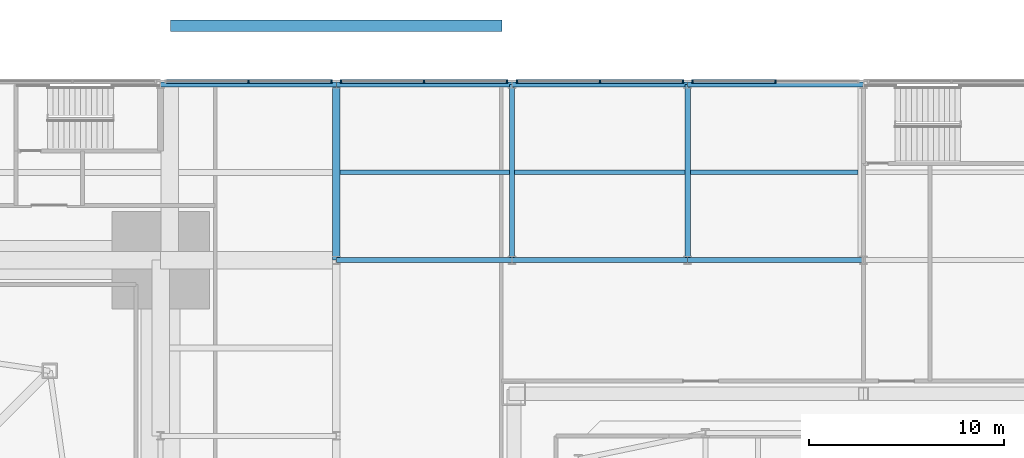
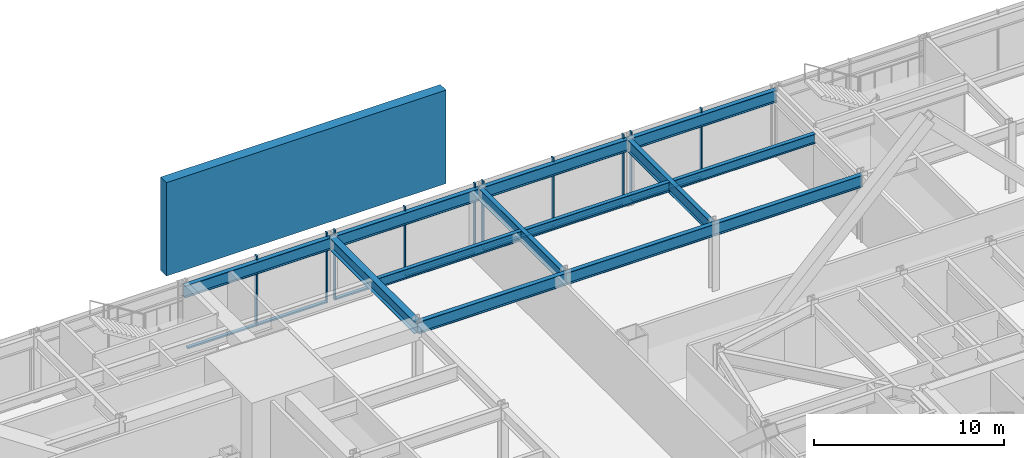
# One storey, part 16 of 32: 17 members, 14 beams, 4 elements without a shape of their own.
"""IFC4 building model written with IfcOpenShell, lengths in metres."""

from ifc_helpers import new_model, si_unit, direction, frame, origin, origin_2d, place, context, subcontext, project, spatial, rectangle, i_section, extrude, material, material_profile, profile_set, type_object, element, aggregate, save


model = new_model("IFC4")

# Units and contexts
model_context = context("Model", 3, precision=1e-05, world=origin(), true_north=direction((0.0, 1.0)))
body_context = subcontext(model_context, "Body", "Model", "MODEL_VIEW")
ifc_project = project(units=[si_unit("LENGTHUNIT", "METRE"), si_unit("AREAUNIT", "SQUARE_METRE"), si_unit("VOLUMEUNIT", "CUBIC_METRE"), si_unit("PLANEANGLEUNIT", "RADIAN"), si_unit("MASSUNIT", "GRAM", prefix="KILO")], contexts=[model_context])

# Site, building, storey
site_placement = place(None, origin())
site = spatial("IfcSite", under=ifc_project, at=site_placement, CompositionType="ELEMENT")
building_placement = place(site_placement, origin())
building = spatial("IfcBuilding", under=site, at=building_placement, Name="Iwan Alto Co-Living Towers", CompositionType="ELEMENT")
storey_placement = place(building_placement, frame((0.0, 0.0, 6.0)))
storey = spatial("IfcBuildingStorey", under=building, at=storey_placement, Name="L01", CompositionType="ELEMENT", Elevation=6.0)

# Curtain wall, members
ifc_material_1 = material(Name="Bronze aluminium stick frame", Category="aluminium")
curtain_wall_type = type_object("IfcCurtainWallType", Name="CURTAIN WALL CW-E", PredefinedType="NOTDEFINED", material=ifc_material_1)
curtain_wall_1_placement = place(storey_placement, origin())
curtain_wall_1 = element("IfcCurtainWall", 1, at=curtain_wall_1_placement, inside=storey, type_object=curtain_wall_type, Name="Podium curtain wall N L01", PredefinedType="NOTDEFINED")
ifc_material_2 = material(Name="Aluminium 6063-T6 bronze anodised", Category="aluminium")
ifc_material_profile_1 = material_profile(ifc_material_2, rectangle(XDim=0.199951171875, YDim=0.080078125, at=origin_2d()), Name="AL 80X200")
ifc_profile_set_1 = profile_set([ifc_material_profile_1], Name="Aluminium 6063-T6 bronze anodised")
member_type_1 = type_object("IfcMemberType", Name="CW-E MULLION 80X200", PredefinedType="MULLION", material=ifc_profile_set_1)
member_1_placement = place(storey_placement, frame((35.754150390625, 36.14990234375, 0.0), z_axis=(0.0, 0.0, 1.0), x_axis=(0.0, -1.0, 0.0)))
member_1 = element("IfcMember", 2, at=member_1_placement, type_object=member_type_1, Name="CW-E mullion 1", PredefinedType="MULLION", context=body_context, shape_type="SweptSolid", body=[
    extrude(rectangle(XDim=0.199951171875, YDim=0.080078125, at=origin_2d()), origin(), (0.0, 0.0, 1.0), 4.5),
])
member_2_placement = place(storey_placement, frame((31.5, 36.14990234375, 0.0), z_axis=(0.0, 0.0, 1.0), x_axis=(0.0, -1.0, 0.0)))
member_2 = element("IfcMember", 3, at=member_2_placement, type_object=member_type_1, Name="CW-E mullion 2", PredefinedType="MULLION", context=body_context, shape_type="SweptSolid", body=[
    extrude(rectangle(XDim=0.199951171875, YDim=0.080078125, at=origin_2d()), origin(), (0.0, 0.0, 1.0), 4.5),
])

curtain_wall_2_placement = place(storey_placement, origin())
curtain_wall_2 = element("IfcCurtainWall", 4, at=curtain_wall_2_placement, inside=storey, type_object=curtain_wall_type, Name="Podium curtain wall N L01", PredefinedType="NOTDEFINED")
member_3_placement = place(storey_placement, frame((44.754150390625, 36.14990234375, 0.0), z_axis=(0.0, 0.0, 1.0), x_axis=(0.0, -1.0, 0.0)))
member_3 = element("IfcMember", 5, at=member_3_placement, type_object=member_type_1, Name="CW-E mullion 1", PredefinedType="MULLION", context=body_context, shape_type="SweptSolid", body=[
    extrude(rectangle(XDim=0.199951171875, YDim=0.080078125, at=origin_2d()), origin(), (0.0, 0.0, 1.0), 4.5),
])
member_4_placement = place(storey_placement, frame((40.5, 36.14990234375, 0.0), z_axis=(0.0, 0.0, 1.0), x_axis=(0.0, -1.0, 0.0)))
member_4 = element("IfcMember", 6, at=member_4_placement, type_object=member_type_1, Name="CW-E mullion 2", PredefinedType="MULLION", context=body_context, shape_type="SweptSolid", body=[
    extrude(rectangle(XDim=0.199951171875, YDim=0.080078125, at=origin_2d()), origin(), (0.0, 0.0, 1.0), 4.5),
])
member_5_placement = place(storey_placement, frame((36.245849609375, 36.14990234375, 0.0), z_axis=(0.0, 0.0, 1.0), x_axis=(0.0, -1.0, 0.0)))
member_5 = element("IfcMember", 7, at=member_5_placement, type_object=member_type_1, Name="CW-E mullion 3", PredefinedType="MULLION", context=body_context, shape_type="SweptSolid", body=[
    extrude(rectangle(XDim=0.199951171875, YDim=0.080078125, at=origin_2d()), origin(), (0.0, 0.0, 1.0), 4.5),
])

curtain_wall_3_placement = place(storey_placement, origin())
curtain_wall_3 = element("IfcCurtainWall", 8, at=curtain_wall_3_placement, inside=storey, type_object=curtain_wall_type, Name="Podium curtain wall N L01", PredefinedType="NOTDEFINED")
member_6_placement = place(storey_placement, frame((53.754150390625, 36.14990234375, 0.0), z_axis=(0.0, 0.0, 1.0), x_axis=(0.0, -1.0, 0.0)))
member_6 = element("IfcMember", 9, at=member_6_placement, type_object=member_type_1, Name="CW-E mullion 1", PredefinedType="MULLION", context=body_context, shape_type="SweptSolid", body=[
    extrude(rectangle(XDim=0.199951171875, YDim=0.080078125, at=origin_2d()), origin(), (0.0, 0.0, 1.0), 4.5),
])
member_7_placement = place(storey_placement, frame((49.5, 36.14990234375, 0.0), z_axis=(0.0, 0.0, 1.0), x_axis=(0.0, -1.0, 0.0)))
member_7 = element("IfcMember", 10, at=member_7_placement, type_object=member_type_1, Name="CW-E mullion 2", PredefinedType="MULLION", context=body_context, shape_type="SweptSolid", body=[
    extrude(rectangle(XDim=0.199951171875, YDim=0.080078125, at=origin_2d()), origin(), (0.0, 0.0, 1.0), 4.5),
])
member_8_placement = place(storey_placement, frame((45.245849609375, 36.14990234375, 0.0), z_axis=(0.0, 0.0, 1.0), x_axis=(0.0, -1.0, 0.0)))
member_8 = element("IfcMember", 11, at=member_8_placement, type_object=member_type_1, Name="CW-E mullion 3", PredefinedType="MULLION", context=body_context, shape_type="SweptSolid", body=[
    extrude(rectangle(XDim=0.199951171875, YDim=0.080078125, at=origin_2d()), origin(), (0.0, 0.0, 1.0), 4.5),
])

curtain_wall_4_placement = place(storey_placement, origin())
curtain_wall_4 = element("IfcCurtainWall", 12, at=curtain_wall_4_placement, inside=storey, type_object=curtain_wall_type, Name="Podium curtain wall N L01", PredefinedType="NOTDEFINED")
member_9_placement = place(storey_placement, frame((58.5, 36.14990234375, 0.0), z_axis=(0.0, 0.0, 1.0), x_axis=(0.0, -1.0, 0.0)))
member_9 = element("IfcMember", 13, at=member_9_placement, type_object=member_type_1, Name="CW-E mullion 2", PredefinedType="MULLION", context=body_context, shape_type="SweptSolid", body=[
    extrude(rectangle(XDim=0.199951171875, YDim=0.080078125, at=origin_2d()), origin(), (0.0, 0.0, 1.0), 4.5),
])
member_10_placement = place(storey_placement, frame((54.245849609375, 36.14990234375, 0.0), z_axis=(0.0, 0.0, 1.0), x_axis=(0.0, -1.0, 0.0)))
member_10 = element("IfcMember", 14, at=member_10_placement, type_object=member_type_1, Name="CW-E mullion 3", PredefinedType="MULLION", context=body_context, shape_type="SweptSolid", body=[
    extrude(rectangle(XDim=0.199951171875, YDim=0.080078125, at=origin_2d()), origin(), (0.0, 0.0, 1.0), 4.5),
])

# Member
ifc_material_3 = material(Name="Aluminium 6063-T6 bronze anodised", Category="aluminium")
ifc_material_profile_2 = material_profile(ifc_material_3, rectangle(XDim=0.199951171875, YDim=0.10009765625, at=origin_2d()), Name="AL 200X100")
ifc_profile_set_2 = profile_set([ifc_material_profile_2], Name="Aluminium 6063-T6 bronze anodised")
member_type_2 = type_object("IfcMemberType", Name="CW-E TRANSOM 200X100", PredefinedType="USERDEFINED", material=ifc_profile_set_2)
member_11_placement = place(storey_placement, frame((35.71435546875, 36.14990234375, 0.050048828125), z_axis=(-1.0, 0.0, 0.0), x_axis=(0.0, -1.0, 0.0)))
member_11 = element("IfcMember", 15, at=member_11_placement, type_object=member_type_2, Name="CW-E transom 1.1", ObjectType="TRANSOM", PredefinedType="USERDEFINED", context=body_context, shape_type="SweptSolid", body=[
    extrude(rectangle(XDim=0.199951171875, YDim=0.10009765625, at=origin_2d()), origin(), (0.0, 0.0, 1.0), 4.17431640625),
])

member_12_placement = place(storey_placement, frame((31.4599609375, 36.14990234375, 0.050048828125), z_axis=(-1.0, 0.0, 0.0), x_axis=(0.0, -1.0, 0.0)))
member_12 = element("IfcMember", 16, at=member_12_placement, type_object=member_type_2, Name="CW-E transom 2.1", ObjectType="TRANSOM", PredefinedType="USERDEFINED", context=body_context, shape_type="SweptSolid", body=[
    extrude(rectangle(XDim=0.199951171875, YDim=0.10009765625, at=origin_2d()), origin(), (0.0, 0.0, 1.0), 4.17431640625),
])

aggregate(curtain_wall_1, [member_1, member_2, member_11, member_12])

member_13_placement = place(storey_placement, frame((44.71435546875, 36.14990234375, 0.050048828125), z_axis=(-1.0, 0.0, 0.0), x_axis=(0.0, -1.0, 0.0)))
member_13 = element("IfcMember", 17, at=member_13_placement, type_object=member_type_2, Name="CW-E transom 1.1", ObjectType="TRANSOM", PredefinedType="USERDEFINED", context=body_context, shape_type="SweptSolid", body=[
    extrude(rectangle(XDim=0.199951171875, YDim=0.10009765625, at=origin_2d()), origin(), (0.0, 0.0, 1.0), 4.17431640625),
])

member_14_placement = place(storey_placement, frame((40.4599609375, 36.14990234375, 0.050048828125), z_axis=(-1.0, 0.0, 0.0), x_axis=(0.0, -1.0, 0.0)))
member_14 = element("IfcMember", 18, at=member_14_placement, type_object=member_type_2, Name="CW-E transom 2.1", ObjectType="TRANSOM", PredefinedType="USERDEFINED", context=body_context, shape_type="SweptSolid", body=[
    extrude(rectangle(XDim=0.199951171875, YDim=0.10009765625, at=origin_2d()), origin(), (0.0, 0.0, 1.0), 4.17431640625),
])

aggregate(curtain_wall_2, [member_3, member_4, member_5, member_13, member_14])

member_15_placement = place(storey_placement, frame((53.71435546875, 36.14990234375, 0.050048828125), z_axis=(-1.0, 0.0, 0.0), x_axis=(0.0, -1.0, 0.0)))
member_15 = element("IfcMember", 19, at=member_15_placement, type_object=member_type_2, Name="CW-E transom 1.1", ObjectType="TRANSOM", PredefinedType="USERDEFINED", context=body_context, shape_type="SweptSolid", body=[
    extrude(rectangle(XDim=0.199951171875, YDim=0.10009765625, at=origin_2d()), origin(), (0.0, 0.0, 1.0), 4.17431640625),
])

member_16_placement = place(storey_placement, frame((49.4599609375, 36.14990234375, 0.050048828125), z_axis=(-1.0, 0.0, 0.0), x_axis=(0.0, -1.0, 0.0)))
member_16 = element("IfcMember", 20, at=member_16_placement, type_object=member_type_2, Name="CW-E transom 2.1", ObjectType="TRANSOM", PredefinedType="USERDEFINED", context=body_context, shape_type="SweptSolid", body=[
    extrude(rectangle(XDim=0.199951171875, YDim=0.10009765625, at=origin_2d()), origin(), (0.0, 0.0, 1.0), 4.17431640625),
])

aggregate(curtain_wall_3, [member_6, member_7, member_8, member_15, member_16])

member_17_placement = place(storey_placement, frame((58.4599609375, 36.14990234375, 0.050048828125), z_axis=(-1.0, 0.0, 0.0), x_axis=(0.0, -1.0, 0.0)))
member_17 = element("IfcMember", 21, at=member_17_placement, type_object=member_type_2, Name="CW-E transom 2.1", ObjectType="TRANSOM", PredefinedType="USERDEFINED", context=body_context, shape_type="SweptSolid", body=[
    extrude(rectangle(XDim=0.199951171875, YDim=0.10009765625, at=origin_2d()), origin(), (0.0, 0.0, 1.0), 4.17431640625),
])

aggregate(curtain_wall_4, [member_9, member_10, member_17])

# Beams
ifc_material_4 = material(Name="Concrete f'c 35 MPa", Category="concrete")
ifc_material_profile_3 = material_profile(ifc_material_4, rectangle(XDim=0.60009765625, YDim=6.0, at=origin_2d()), Name="RC 600X6000")
ifc_material_5 = material(Name="Glazed fired clay brick facing", Category="masonry")
ifc_material_profile_4 = material_profile(ifc_material_5, rectangle(XDim=0.60009765625, YDim=6.0, at=origin_2d()), Name="Glazed brick facing", Category="Finish")
ifc_profile_set_3 = profile_set([ifc_material_profile_3, ifc_material_profile_4], Name="Concrete f'c 35 MPa")
beam_type_1 = type_object("IfcBeamType", Name="IWAN PORTAL HEAD BEAM 600X6000", PredefinedType="BEAM", material=ifc_profile_set_3)
beam_1_placement = place(storey_placement, frame((27.505615234375, 39.0, 6.0), z_axis=(1.0, 0.0, 0.0), x_axis=(0.0, 1.0, 0.0)))
element("IfcBeam", 22, at=beam_1_placement, inside=storey, type_object=beam_type_1, Name="Iwan portal head N", PredefinedType="BEAM", context=body_context, shape_type="SweptSolid", body=[
    extrude(rectangle(XDim=0.60009765625, YDim=6.0, at=origin_2d()), origin(), (0.0, 0.0, 1.0), 16.98876953125),
])
ifc_material_6 = material(Name="Steel ASTM A992 Gr 50", Category="steel")
ifc_material_profile_5 = material_profile(ifc_material_6, i_section(OverallWidth=0.2666015625, OverallDepth=0.76953125, WebThickness=0.015625, FlangeThickness=0.025390625, at=origin_2d()), Name="W30X132")
ifc_profile_set_4 = profile_set([ifc_material_profile_5], Name="Steel ASTM A992 Gr 50")
beam_type_2 = type_object("IfcBeamType", Name="PODIUM BEAM W30X132", PredefinedType="BEAM", material=ifc_profile_set_4)
for number, where, z_axis, x_axis, name in (
    (23, (27.0, 36.0, 3.865234375), (1.0, 0.0, 0.0), (0.0, 1.0, 0.0), "Podium beam 8/I-9/I L02"),
    (24, (36.0, 27.0, 3.865234375), (1.0, 0.0, 0.0), (0.0, 1.0, 0.0), "Podium beam 9/H-10/H L02"),
    (25, (36.0, 36.0, 3.865234375), (1.0, 0.0, 0.0), (0.0, 1.0, 0.0), "Podium beam 9/I-10/I L02"),
    (26, (45.0, 27.0, 3.865234375), (1.0, 0.0, 0.0), (0.0, 1.0, 0.0), "Podium beam 10/H-11/H L02"),
    (27, (45.0, 27.0, 3.865234375), (0.0, 1.0, 0.0), (-1.0, 0.0, 0.0), "Podium beam 10/H-10/I L02"),
    (28, (45.0, 36.0, 3.865234375), (1.0, 0.0, 0.0), (0.0, 1.0, 0.0), "Podium beam 10/I-11/I L02"),
    (29, (54.0, 27.0, 3.865234375), (1.0, 0.0, 0.0), (0.0, 1.0, 0.0), "Podium beam 11/H-12/H L02"),
    (30, (54.0, 27.0, 3.865234375), (0.0, 1.0, 0.0), (-1.0, 0.0, 0.0), "Podium beam 11/H-11/I L02"),
    (31, (54.0, 36.0, 3.865234375), (1.0, 0.0, 0.0), (0.0, 1.0, 0.0), "Podium beam 11/I-12/I L02"),
):
    element("IfcBeam", number, at=place(storey_placement, frame(where, z_axis=z_axis, x_axis=x_axis)), inside=storey, type_object=beam_type_2, Name=name, PredefinedType="BEAM", context=body_context, shape_type="SweptSolid", body=[
        extrude(i_section(OverallWidth=0.2666015625, OverallDepth=0.76953125, WebThickness=0.015625, FlangeThickness=0.025390625, at=origin_2d()), origin(), (0.0, 0.0, 1.0), 9.0),
    ])
ifc_material_7 = material(Name="Steel ASTM A992 Gr 50", Category="steel")
ifc_material_profile_6 = material_profile(ifc_material_7, i_section(OverallWidth=0.381103515625, OverallDepth=0.772216796875, WebThickness=0.0166015625, FlangeThickness=0.027099609375, at=origin_2d()), Name="W30X173")
ifc_profile_set_5 = profile_set([ifc_material_profile_6], Name="Steel ASTM A992 Gr 50")
beam_type_3 = type_object("IfcBeamType", Name="PODIUM JOINT BEAM W30X173", PredefinedType="BEAM", material=ifc_profile_set_5)
beam_2_placement = place(storey_placement, frame((36.0, 27.0, 3.864013671875), z_axis=(0.0, 1.0, 0.0), x_axis=(-1.0, 0.0, 0.0)))
element("IfcBeam", 32, at=beam_2_placement, inside=storey, type_object=beam_type_3, Name="Podium beam 9/H-9/I L02", PredefinedType="BEAM", context=body_context, shape_type="SweptSolid", body=[
    extrude(i_section(OverallWidth=0.381103515625, OverallDepth=0.772216796875, WebThickness=0.0166015625, FlangeThickness=0.027099609375, at=origin_2d()), origin(), (0.0, 0.0, 1.0), 9.0),
])
ifc_material_8 = material(Name="Steel ASTM A992 Gr 50", Category="steel")
ifc_material_profile_7 = material_profile(ifc_material_8, i_section(OverallWidth=0.23046875, OverallDepth=0.6171875, WebThickness=0.01318359375, FlangeThickness=0.022216796875, at=origin_2d()), Name="W24X94")
ifc_profile_set_6 = profile_set([ifc_material_profile_7], Name="Steel ASTM A992 Gr 50")
beam_type_4 = type_object("IfcBeamType", Name="PODIUM SECONDARY BEAM W24X94", PredefinedType="JOIST", material=ifc_profile_set_6)
beam_3_placement = place(storey_placement, frame((36.1904296875, 31.5, 3.94140625), z_axis=(1.0, 0.0, 0.0), x_axis=(0.0, 1.0, 0.0)))
element("IfcBeam", 33, at=beam_3_placement, inside=storey, type_object=beam_type_4, Name="Podium secondary beam 9/H L02", PredefinedType="JOIST", context=body_context, shape_type="SweptSolid", body=[
    extrude(i_section(OverallWidth=0.23046875, OverallDepth=0.6171875, WebThickness=0.01318359375, FlangeThickness=0.022216796875, at=origin_2d()), origin(), (0.0, 0.0, 1.0), 8.67626953125),
])
beam_4_placement = place(storey_placement, frame((45.13330078125, 31.5, 3.94140625), z_axis=(1.0, 0.0, 0.0), x_axis=(0.0, 1.0, 0.0)))
element("IfcBeam", 34, at=beam_4_placement, inside=storey, type_object=beam_type_4, Name="Podium secondary beam 10/H L02", PredefinedType="JOIST", context=body_context, shape_type="SweptSolid", body=[
    extrude(i_section(OverallWidth=0.23046875, OverallDepth=0.6171875, WebThickness=0.01318359375, FlangeThickness=0.022216796875, at=origin_2d()), origin(), (0.0, 0.0, 1.0), 8.7333984375),
])
beam_5_placement = place(storey_placement, frame((54.13330078125, 31.5, 3.94140625), z_axis=(1.0, 0.0, 0.0), x_axis=(0.0, 1.0, 0.0)))
element("IfcBeam", 35, at=beam_5_placement, inside=storey, type_object=beam_type_4, Name="Podium secondary beam 11/H L02", PredefinedType="JOIST", context=body_context, shape_type="SweptSolid", body=[
    extrude(i_section(OverallWidth=0.23046875, OverallDepth=0.6171875, WebThickness=0.01318359375, FlangeThickness=0.022216796875, at=origin_2d()), origin(), (0.0, 0.0, 1.0), 8.580078125),
])

save(model, "model.ifc")
